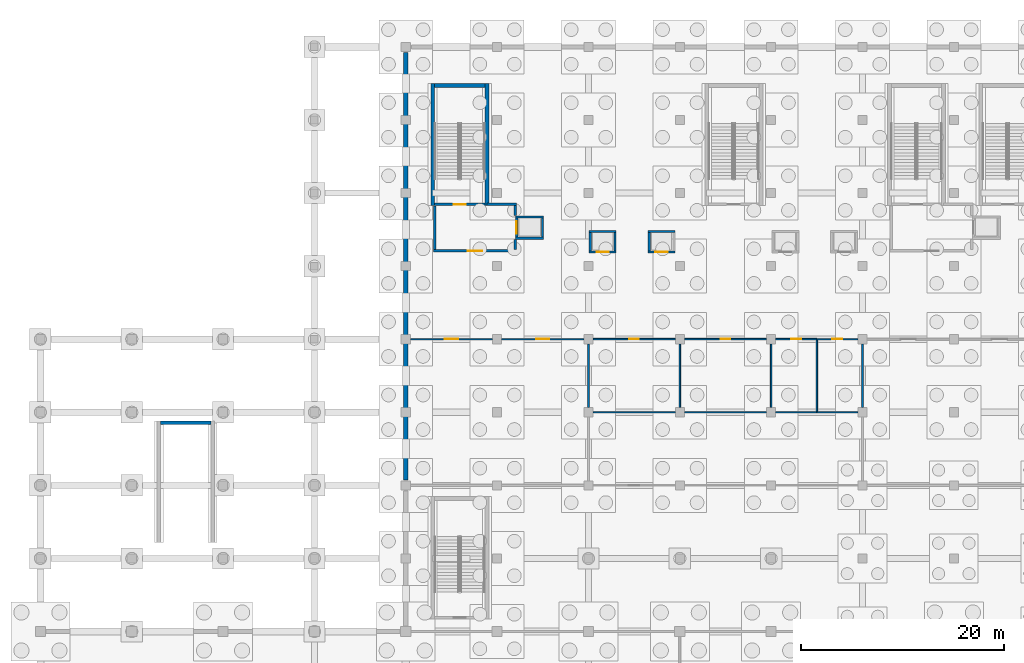
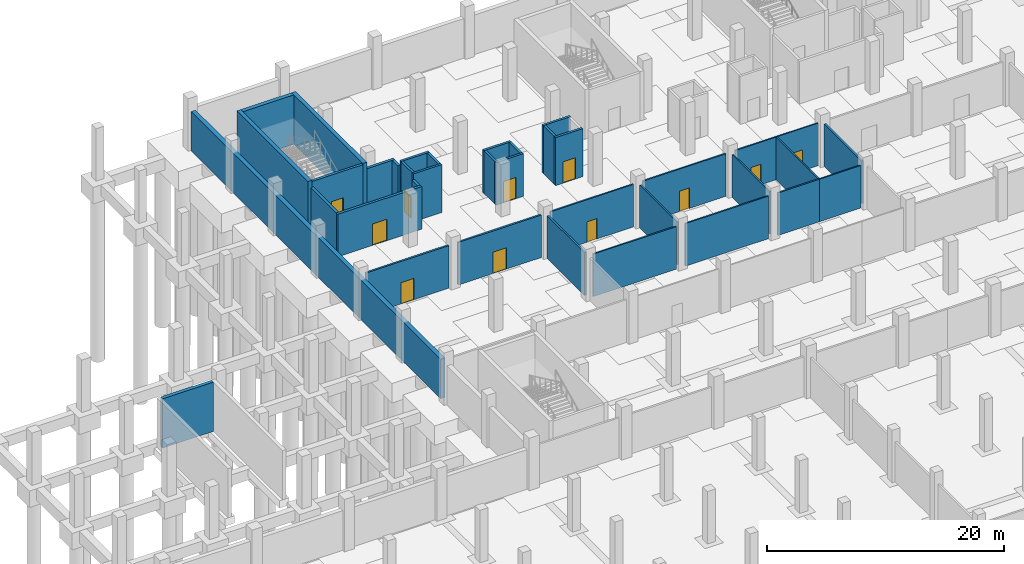
# One storey, part 25 of 39: 37 walls, 11 doors, 11 openings.
"""IFC4 building model written with IfcOpenShell, lengths in metres."""

import ifcopenshell
import ifcopenshell.guid

model = None  # the IFC model being written
_history = None  # IfcOwnerHistory: only IFC2X3 demands one
_inside = {}  # id of a spatial element -> (the spatial element, [elements in it])
_under = {}  # id of a project, library or spatial element -> (it, [spatial elements below it])
_declared = {}  # id of a project -> (the project, [libraries it declares])
_typed = {}  # id of a type object -> (the type object, [elements of that type])
_made_of = {}  # id of a material, layer set ... -> (it, [elements and type objects made of it])


def new_model(schema):
    """Start an empty IFC model of exactly this schema.

    Asked for "IFC4X3", IfcOpenShell would pick the latest addendum, in which some entities
    have other attributes; the version numbers below select the first issue.
    IFC2X3 requires an IfcOwnerHistory on every rooted entity: one is made here for all.
    """
    global model, _history
    if schema == "IFC4X3":
        model = ifcopenshell.file(schema_version=(4, 3, 0, 0))
    else:
        model = ifcopenshell.file(schema=schema)
    _inside.clear()
    _under.clear()
    _declared.clear()
    _typed.clear()
    _made_of.clear()
    _history = None
    if model.schema == "IFC2X3":
        org = make("IfcOrganization", Name="unknown")
        user = make(
            "IfcPersonAndOrganization",
            ThePerson=make("IfcPerson", FamilyName="unknown"),
            TheOrganization=org,
        )
        app = make(
            "IfcApplication",
            ApplicationDeveloper=org,
            Version="unknown",
            ApplicationFullName="unknown",
            ApplicationIdentifier="unknown",
        )
        _history = make(
            "IfcOwnerHistory",
            OwningUser=user,
            OwningApplication=app,
            ChangeAction="ADDED",
            CreationDate=0,
        )
    return model


def make(cls, **values):
    """One entity of the class cls with the attributes given. An attribute that is None is left unset."""
    return model.create_entity(
        cls, **{name: value for name, value in values.items() if value is not None}
    )


def rooted(cls, **values):
    """An entity with a GlobalId (a new one), such as an element, a storey or a relation."""
    return make(cls, GlobalId=ifcopenshell.guid.new(), OwnerHistory=_history, **values)


def si_unit(unit_type, name, prefix=None):
    """IfcSIUnit, for example si_unit("LENGTHUNIT", "METRE", prefix="MILLI")."""
    return make("IfcSIUnit", UnitType=unit_type, Prefix=prefix, Name=name)


def assignment(units):
    """IfcUnitAssignment: the units of a project."""
    return None if units is None else make("IfcUnitAssignment", Units=units)


def point(xyz):
    """IfcCartesianPoint."""
    return None if xyz is None else make("IfcCartesianPoint", Coordinates=xyz)


def direction(xyz):
    """IfcDirection."""
    return None if xyz is None else make("IfcDirection", DirectionRatios=xyz)


def frame(location, z_axis=None, x_axis=None):
    """IfcAxis2Placement3D, a coordinate frame: its origin and axes. An axis left out is left unset."""
    return make(
        "IfcAxis2Placement3D",
        Location=point(location),
        Axis=direction(z_axis),
        RefDirection=direction(x_axis),
    )


def frame_2d(location, x_axis=None):
    """IfcAxis2Placement2D, a coordinate frame in the plane: its origin and x axis."""
    return make(
        "IfcAxis2Placement2D", Location=point(location), RefDirection=direction(x_axis)
    )


def origin():
    """The frame at (0, 0, 0) with its axes left unset."""
    return frame((0.0, 0.0, 0.0))


def place(relative_to, where):
    """IfcLocalPlacement: puts the frame where relative to a parent placement (None: the world)."""
    return make(
        "IfcLocalPlacement", PlacementRelTo=relative_to, RelativePlacement=where
    )


def context(
    kind, dimensions, precision=None, world=None, true_north=None, identifier=None
):
    """IfcGeometricRepresentationContext, for example the 3D "Model" context."""
    return make(
        "IfcGeometricRepresentationContext",
        ContextIdentifier=identifier,
        ContextType=kind,
        CoordinateSpaceDimension=dimensions,
        Precision=precision,
        WorldCoordinateSystem=world,
        TrueNorth=true_north,
    )


def subcontext(parent, identifier, kind, view, scale=None):
    """IfcGeometricRepresentationSubContext, for example "Body" below "Model"."""
    return make(
        "IfcGeometricRepresentationSubContext",
        ContextIdentifier=identifier,
        ContextType=kind,
        ParentContext=parent,
        TargetScale=scale,
        TargetView=view,
    )


def project(units=None, contexts=None):
    """IfcProject with its units and contexts."""
    return rooted(
        "IfcProject",
        Name="project",
        RepresentationContexts=contexts,
        UnitsInContext=assignment(units),
    )


def spatial(cls, under=None, at=None, **own):
    """A site, building, storey or space (cls), placed at a placement, below another one or the project."""
    s = rooted(cls, ObjectPlacement=at, **own)
    if under is not None:
        _under.setdefault(under.id(), (under, []))[1].append(s)
    return s


def profile(cls, at=None, kind="AREA", **sizes):
    """A parametric profile (cls). Its sizes go by their IFC names, for example OverallWidth=200.0."""
    return make(cls, ProfileType=kind, Position=at, **sizes)


def rectangle(**sizes):
    """IfcRectangleProfileDef."""
    return profile("IfcRectangleProfileDef", **sizes)


def extrude(swept, where, along, depth):
    """IfcExtrudedAreaSolid: the profile swept, set in the frame where, extruded along a direction by depth."""
    return make(
        "IfcExtrudedAreaSolid",
        SweptArea=swept,
        Position=where,
        ExtrudedDirection=direction(along),
        Depth=depth,
    )


def shape(context_of_items, identifier, shape_type, items):
    """IfcShapeRepresentation: the items that make up one representation, for example the "Body"."""
    return make(
        "IfcShapeRepresentation",
        ContextOfItems=context_of_items,
        RepresentationIdentifier=identifier,
        RepresentationType=shape_type,
        Items=items,
    )


def material(Name=None, Category=None):
    """IfcMaterial."""
    return make("IfcMaterial", Name=Name, Category=Category)


def layer(
    of_material, thickness, ventilated=None, Name=None, Category=None, Priority=None
):
    """IfcMaterialLayer: one layer of a wall or slab, of a material (None: an air gap)."""
    return make(
        "IfcMaterialLayer",
        Material=of_material,
        LayerThickness=thickness,
        IsVentilated=ventilated,
        Name=Name,
        Category=Category,
        Priority=Priority,
    )


def layer_set(layers, Name=None):
    """IfcMaterialLayerSet."""
    return make("IfcMaterialLayerSet", MaterialLayers=layers, LayerSetName=Name)


def made_of(thing, what):
    """Note that an element or type object is made of a material, layer set ...; save() writes the relation."""
    if what is not None:
        _made_of.setdefault(what.id(), (what, []))[1].append(thing)
    return thing


def type_object(cls, material=None, **own):
    """A type object (cls), such as IfcWallType, which elements share."""
    return made_of(rooted(cls, **own), material)


def element(
    cls,
    number,
    at=None,
    inside=None,
    cuts=None,
    type_object=None,
    material=None,
    context=None,
    identifier="Body",
    shape_type=None,
    held_by="IfcProductDefinitionShape",
    body=None,
    shapes=None,
    **own,
):
    """One element of the class cls, such as IfcWall. Its Tag is "e" and its number.

    at: its placement. inside: the storey or other place that contains it. cuts: it is an
    opening in that element (IfcRelVoidsElement). A single representation is given by context,
    identifier, shape_type and body (its items); several are given by shapes. held_by: the class
    of the entity that holds the representations. save() writes the other relations.
    """
    e = rooted(cls, Tag="e%d" % number, ObjectPlacement=at, **own)
    if body is not None:
        shapes = [shape(context, identifier, shape_type, body)]
    if shapes is not None:
        e.Representation = make(held_by, Representations=shapes)
    if inside is not None:
        _inside.setdefault(inside.id(), (inside, []))[1].append(e)
    if cuts is not None:
        rooted(
            "IfcRelVoidsElement", RelatingBuildingElement=cuts, RelatedOpeningElement=e
        )
    if type_object is not None:
        _typed.setdefault(type_object.id(), (type_object, []))[1].append(e)
    return made_of(e, material)


def fill(opening, filler):
    """IfcRelFillsElement: the door or window that sits in an opening."""
    return rooted(
        "IfcRelFillsElement",
        RelatingOpeningElement=opening,
        RelatedBuildingElement=filler,
    )


def aggregate(whole, parts):
    """IfcRelAggregates: a whole, such as a stair, and the parts it consists of."""
    return rooted("IfcRelAggregates", RelatingObject=whole, RelatedObjects=parts)


def save(model, path):
    """Write the relations noted so far, then the file.

    IfcRelAggregates (storeys below a building ...), IfcRelContainedInSpatialStructure (elements
    in a storey), IfcRelDefinesByType, IfcRelAssociatesMaterial and IfcRelDeclares: one each for
    every whole, place, type object, material and project.
    """
    for whole, parts in _under.values():
        aggregate(whole, parts)
    for where, things in _inside.values():
        rooted(
            "IfcRelContainedInSpatialStructure",
            RelatedElements=things,
            RelatingStructure=where,
        )
    for kind, things in _typed.values():
        rooted("IfcRelDefinesByType", RelatedObjects=things, RelatingType=kind)
    for what, things in _made_of.values():
        rooted("IfcRelAssociatesMaterial", RelatedObjects=things, RelatingMaterial=what)
    for by, libraries in _declared.values():
        rooted("IfcRelDeclares", RelatingContext=by, RelatedDefinitions=libraries)
    model.write(path)


model = new_model("IFC4")

# Units and contexts
model_context = context("Model", 3, precision=1e-05, world=origin(), true_north=direction((0.0, 1.0)))
body_context = subcontext(model_context, "Body", "Model", "MODEL_VIEW")
ifc_project = project(units=[si_unit("LENGTHUNIT", "METRE"), si_unit("AREAUNIT", "SQUARE_METRE"), si_unit("VOLUMEUNIT", "CUBIC_METRE"), si_unit("PLANEANGLEUNIT", "RADIAN"), si_unit("MASSUNIT", "GRAM", prefix="KILO")], contexts=[model_context])

# Site, building, storey
site_placement = place(None, origin())
site = spatial("IfcSite", under=ifc_project, at=site_placement, CompositionType="ELEMENT")
building_placement = place(site_placement, origin())
building = spatial("IfcBuilding", under=site, at=building_placement, Name="Celestram Park Convention Centre", CompositionType="ELEMENT")
storey_placement = place(building_placement, frame((0.0, 0.0, -5.39990234375)))
storey = spatial("IfcBuildingStorey", under=building, at=storey_placement, Name="B1", CompositionType="ELEMENT", Elevation=-5.39990234375)

# Wall, opening, door
ifc_material_1 = material(Name="Concrete Block Masonry C25/30", Category="masonry")
ifc_layer_1 = layer(ifc_material_1, 0.25)
ifc_layer_set_1 = layer_set([ifc_layer_1], Name="Concrete Block Masonry C25/30")
wall_type_1 = type_object("IfcWallType", Name="ARC-WL-COR250", PredefinedType="STANDARD", material=ifc_layer_set_1)
wall_1_placement = place(storey_placement, frame((38.840087890625, 150.074951171875, 0.0), z_axis=(0.0, 0.0, 1.0), x_axis=(1.0, 0.0, 0.0)))
wall_1 = element("IfcWall", 1, at=wall_1_placement, inside=storey, type_object=wall_type_1, Name="Core C1 stair entrance wall", PredefinedType="STANDARD", context=body_context, shape_type="SweptSolid", body=[
    extrude(rectangle(XDim=4.9599609375, YDim=0.25, at=frame_2d((2.47998046875, 0.0))), origin(), (0.0, 0.0, 1.0), 4.949951171875),
])
opening_1_placement = place(wall_1_placement, frame((1.905029296875, 0.0, 0.0)))
opening_1 = element("IfcOpeningElement", 2, at=opening_1_placement, cuts=wall_1, Name="Opening D-ST1", PredefinedType="OPENING", context=body_context, shape_type="SweptSolid", body=[
    extrude(rectangle(XDim=1.14990234375, YDim=2.199951171875, at=frame_2d((0.574951171875, 1.10009765625))), frame((0.0, 0.135009765625, 0.0), z_axis=(0.0, -1.0, 0.0), x_axis=(1.0, 0.0, 0.0)), (0.0, 0.0, 1.0), 0.27001953125),
])
ifc_material_2 = material(Name="Fire-Rated Hollow Metal Steel ASTM A653", Category="steel")
door_type_1 = type_object("IfcDoorType", Name="ARC-DR-ST115", OperationType="NOTDEFINED", PredefinedType="DOOR", material=ifc_material_2)
door_1_placement = place(opening_1_placement, origin())
door_1 = element("IfcDoor", 3, at=door_1_placement, inside=storey, type_object=door_type_1, Name="Exit stair ST-01 fire door", OperationType="SINGLE_SWING_LEFT", OverallHeight=2.199951171875, OverallWidth=1.14990234375, PredefinedType="DOOR", context=body_context, shape_type="SweptSolid", body=[
    extrude(rectangle(XDim=1.14990234375, YDim=2.199951171875, at=frame_2d((0.574951171875, 1.10009765625))), frame((0.0, 0.02490234375, 0.0), z_axis=(0.0, -1.0, 0.0), x_axis=(1.0, 0.0, 0.0)), (0.0, 0.0, 1.0), 0.050048828125),
])
fill(opening_1, door_1)

# Wall
wall_2_placement = place(storey_placement, frame((38.840087890625, 149.93994140625, 0.0), z_axis=(0.0, 0.0, 1.0), x_axis=(0.0, -1.0, 0.0)))
element("IfcWall", 4, at=wall_2_placement, inside=storey, type_object=wall_type_1, Name="Firefighting Lift Lobby C1 W wall", PredefinedType="STANDARD", context=body_context, shape_type="SweptSolid", body=[
    extrude(rectangle(XDim=4.31494140625, YDim=0.25, at=frame_2d((2.157470703125, 0.0))), origin(), (0.0, 0.0, 1.0), 4.39697265625),
])

# Wall, opening, door
wall_3_placement = place(storey_placement, frame((38.715087890625, 145.5, 0.0), z_axis=(0.0, 0.0, 1.0), x_axis=(1.0, 0.0, 0.0)))
wall_3 = element("IfcWall", 5, at=wall_3_placement, inside=storey, type_object=wall_type_1, Name="Firefighting Lift Lobby C1 S wall", PredefinedType="STANDARD", context=body_context, shape_type="SweptSolid", body=[
    extrude(rectangle(XDim=8.18994140625, YDim=0.25, at=frame_2d((4.094970703125, 0.0))), origin(), (0.0, 0.0, 1.0), 4.39697265625),
])
opening_2_placement = place(wall_3_placement, frame((3.39501953125, 0.0, 0.0)))
opening_2 = element("IfcOpeningElement", 6, at=opening_2_placement, cuts=wall_3, Name="Opening D-LB1", PredefinedType="OPENING", context=body_context, shape_type="SweptSolid", body=[
    extrude(rectangle(XDim=1.39990234375, YDim=2.199951171875, at=frame_2d((0.699951171875, 1.10009765625))), frame((0.0, 0.135009765625, 0.0), z_axis=(0.0, -1.0, 0.0), x_axis=(1.0, 0.0, 0.0)), (0.0, 0.0, 1.0), 0.27001953125),
])
ifc_material_3 = material(Name="Fire-Rated Glazed Steel Frame", Category="steel")
door_type_2 = type_object("IfcDoorType", Name="ARC-DR-LB140", OperationType="NOTDEFINED", PredefinedType="DOOR", material=ifc_material_3)
door_2_placement = place(opening_2_placement, origin())
door_2 = element("IfcDoor", 7, at=door_2_placement, inside=storey, type_object=door_type_2, Name="Firefighting Lift Lobby C1 fire door", OperationType="SINGLE_SWING_RIGHT", OverallHeight=2.199951171875, OverallWidth=1.39990234375, PredefinedType="DOOR", context=body_context, shape_type="SweptSolid", body=[
    extrude(rectangle(XDim=1.39990234375, YDim=2.199951171875, at=frame_2d((0.699951171875, 1.10009765625))), frame((0.0, 0.02490234375, 0.0), z_axis=(0.0, -1.0, 0.0), x_axis=(1.0, 0.0, 0.0)), (0.0, 0.0, 1.0), 0.050048828125),
])
fill(opening_2, door_2)

# Walls
wall_4_placement = place(storey_placement, frame((46.780029296875, 145.625, 0.0), z_axis=(0.0, 0.0, 1.0), x_axis=(0.0, 1.0, 0.0)))
element("IfcWall", 8, at=wall_4_placement, inside=storey, type_object=wall_type_1, Name="Firefighting Lift Lobby C1 ES wall", PredefinedType="STANDARD", context=body_context, shape_type="SweptSolid", body=[
    extrude(rectangle(XDim=0.97509765625, YDim=0.25, at=frame_2d((0.487548828125, 0.0))), origin(), (0.0, 0.0, 1.0), 4.39697265625),
])
wall_5_placement = place(storey_placement, frame((46.780029296875, 149.0, 0.0), z_axis=(0.0, 0.0, 1.0), x_axis=(0.0, 1.0, 0.0)))
element("IfcWall", 9, at=wall_5_placement, inside=storey, type_object=wall_type_1, Name="Firefighting Lift Lobby C1 EN wall", PredefinedType="STANDARD", context=body_context, shape_type="SweptSolid", body=[
    extrude(rectangle(XDim=0.949951171875, YDim=0.25, at=frame_2d((0.47509765625, 0.0))), origin(), (0.0, 0.0, 1.0), 4.39697265625),
])
wall_6_placement = place(storey_placement, frame((44.0, 150.074951171875, 0.0), z_axis=(0.0, 0.0, 1.0), x_axis=(1.0, 0.0, 0.0)))
element("IfcWall", 10, at=wall_6_placement, inside=storey, type_object=wall_type_1, Name="Firefighting Lift Lobby C1 N wall", PredefinedType="STANDARD", context=body_context, shape_type="SweptSolid", body=[
    extrude(rectangle(XDim=2.905029296875, YDim=0.25, at=frame_2d((1.45263671875, 0.0))), origin(), (0.0, 0.0, 1.0), 4.39697265625),
])
ifc_material_4 = material(Name="Standard Gypsum & Steel Stud 120 mm", Category="steel")
ifc_layer_2 = layer(ifc_material_4, 0.1201171875)
ifc_layer_set_2 = layer_set([ifc_layer_2], Name="Standard Gypsum & Steel Stud 120 mm")
wall_type_2 = type_object("IfcWallType", Name="ARC-WL-PRT120", PredefinedType="PARTITIONING", material=ifc_layer_set_2)
wall_7_placement = place(storey_placement, frame((76.5, 129.60009765625, 0.0), z_axis=(0.0, 0.0, 1.0), x_axis=(1.0, 0.0, 0.0)))
element("IfcWall", 11, at=wall_7_placement, inside=storey, type_object=wall_type_2, Name="Interior partition WL-B1-IN0487", PredefinedType="PARTITIONING", context=body_context, shape_type="SweptSolid", body=[
    extrude(rectangle(XDim=4.052001953125, YDim=0.1201171875, at=frame_2d((2.02587890625, 0.0))), origin(), (0.0, 0.0, 1.0), 4.3837890625),
])

# Wall, opening, door
wall_8_placement = place(storey_placement, frame((76.5, 136.800048828125, 0.0), z_axis=(0.0, 0.0, 1.0), x_axis=(1.0, 0.0, 0.0)))
wall_8 = element("IfcWall", 12, at=wall_8_placement, inside=storey, type_object=wall_type_2, Name="Interior partition WL-B1-IN0493", PredefinedType="PARTITIONING", context=body_context, shape_type="SweptSolid", body=[
    extrude(rectangle(XDim=4.052001953125, YDim=0.1201171875, at=frame_2d((2.02587890625, 0.0))), origin(), (0.0, 0.0, 1.0), 4.3837890625),
])
opening_3_placement = place(wall_8_placement, frame((1.52587890625, 0.0, 0.0)))
opening_3 = element("IfcOpeningElement", 13, at=opening_3_placement, cuts=wall_8, Name="Opening D-07", PredefinedType="OPENING", context=body_context, shape_type="SweptSolid", body=[
    extrude(rectangle(XDim=1.0, YDim=2.14990234375, at=frame_2d((0.5, 1.074951171875))), frame((0.0, 0.070068359375, 0.0), z_axis=(0.0, -1.0, 0.0), x_axis=(1.0, 0.0, 0.0)), (0.0, 0.0, 1.0), 0.14013671875),
])
ifc_material_5 = material(Name="Solid Core White Oak Single Door", Category="wood")
door_type_3 = type_object("IfcDoorType", Name="ARC-DR-RM100", OperationType="NOTDEFINED", PredefinedType="DOOR", material=ifc_material_5)
door_3_placement = place(opening_3_placement, origin())
door_3 = element("IfcDoor", 14, at=door_3_placement, inside=storey, type_object=door_type_3, Name="Wellness & Nursing Suite B1 entrance door", OperationType="SINGLE_SWING_LEFT", OverallHeight=2.14990234375, OverallWidth=1.0, PredefinedType="DOOR", context=body_context, shape_type="SweptSolid", body=[
    extrude(rectangle(XDim=1.0, YDim=2.14990234375, at=frame_2d((0.5, 1.074951171875))), frame((0.0, 0.02490234375, 0.0), z_axis=(0.0, -1.0, 0.0), x_axis=(1.0, 0.0, 0.0)), (0.0, 0.0, 1.0), 0.050048828125),
])
fill(opening_3, door_3)

# Walls
ifc_material_6 = material(Name="Moisture-Resistant Gypsum Partition 140 mm", Category="gypsum")
ifc_layer_3 = layer(ifc_material_6, 0.139892578125)
ifc_layer_set_3 = layer_set([ifc_layer_3], Name="Moisture-Resistant Gypsum Partition 140 mm")
wall_type_3 = type_object("IfcWallType", Name="ARC-WL-PRT140", PredefinedType="PARTITIONING", material=ifc_layer_set_3)
for number, where, z_axis, x_axis, name in (
    (15, (54.447998046875, 129.60009765625, 0.0), (0.0, 0.0, 1.0), (1.0, 0.0, 0.0), "Interior partition WL-B1-IN0484"),
    (16, (63.447998046875, 129.60009765625, 0.0), (0.0, 0.0, 1.0), (1.0, 0.0, 0.0), "Interior partition WL-B1-IN0485"),
):
    element("IfcWall", number, at=place(storey_placement, frame(where, z_axis=z_axis, x_axis=x_axis)), inside=storey, type_object=wall_type_3, Name=name, PredefinedType="PARTITIONING", context=body_context, shape_type="SweptSolid", body=[
        extrude(rectangle(XDim=8.10400390625, YDim=0.139892578125, at=frame_2d((4.052001953125, 0.0))), origin(), (0.0, 0.0, 1.0), 4.3837890625),
    ])
wall_9_placement = place(storey_placement, frame((72.447998046875, 129.60009765625, 0.0), z_axis=(0.0, 0.0, 1.0), x_axis=(1.0, 0.0, 0.0)))
element("IfcWall", 17, at=wall_9_placement, inside=storey, type_object=wall_type_3, Name="Interior partition WL-B1-IN0486", PredefinedType="PARTITIONING", context=body_context, shape_type="SweptSolid", body=[
    extrude(rectangle(XDim=4.052001953125, YDim=0.139892578125, at=frame_2d((2.02587890625, 0.0))), origin(), (0.0, 0.0, 1.0), 4.3837890625),
])

# Wall, opening, door
wall_10_placement = place(storey_placement, frame((54.447998046875, 136.800048828125, 0.0), z_axis=(0.0, 0.0, 1.0), x_axis=(1.0, 0.0, 0.0)))
wall_10 = element("IfcWall", 18, at=wall_10_placement, inside=storey, type_object=wall_type_3, Name="Interior partition WL-B1-IN0490", PredefinedType="PARTITIONING", context=body_context, shape_type="SweptSolid", body=[
    extrude(rectangle(XDim=8.10400390625, YDim=0.139892578125, at=frame_2d((4.052001953125, 0.0))), origin(), (0.0, 0.0, 1.0), 4.3837890625),
])
opening_4_placement = place(wall_10_placement, frame((3.576904296875, 0.0, 0.0)))
opening_4 = element("IfcOpeningElement", 19, at=opening_4_placement, cuts=wall_10, Name="Opening D-08", PredefinedType="OPENING", context=body_context, shape_type="SweptSolid", body=[
    extrude(rectangle(XDim=0.949951171875, YDim=2.10009765625, at=frame_2d((0.47509765625, 1.050048828125))), frame((0.0, 0.079833984375, 0.0), z_axis=(0.0, -1.0, 0.0), x_axis=(1.0, 0.0, 0.0)), (0.0, 0.0, 1.0), 0.159912109375),
])
ifc_material_7 = material(Name="Laminate Moisture-Resistant Restroom Door", Category="wood")
door_type_4 = type_object("IfcDoorType", Name="ARC-DR-WC095", OperationType="NOTDEFINED", PredefinedType="DOOR", material=ifc_material_7)
door_4_placement = place(opening_4_placement, origin())
door_4 = element("IfcDoor", 20, at=door_4_placement, inside=storey, type_object=door_type_4, Name="Men Restroom B1 entrance door", OperationType="SINGLE_SWING_RIGHT", OverallHeight=2.10009765625, OverallWidth=0.949951171875, PredefinedType="DOOR", context=body_context, shape_type="SweptSolid", body=[
    extrude(rectangle(XDim=0.949951171875, YDim=2.10009765625, at=frame_2d((0.47509765625, 1.050048828125))), frame((0.0, 0.02490234375, 0.0), z_axis=(0.0, -1.0, 0.0), x_axis=(1.0, 0.0, 0.0)), (0.0, 0.0, 1.0), 0.050048828125),
])
fill(opening_4, door_4)

wall_11_placement = place(storey_placement, frame((63.447998046875, 136.800048828125, 0.0), z_axis=(0.0, 0.0, 1.0), x_axis=(1.0, 0.0, 0.0)))
wall_11 = element("IfcWall", 21, at=wall_11_placement, inside=storey, type_object=wall_type_3, Name="Interior partition WL-B1-IN0491", PredefinedType="PARTITIONING", context=body_context, shape_type="SweptSolid", body=[
    extrude(rectangle(XDim=8.10400390625, YDim=0.139892578125, at=frame_2d((4.052001953125, 0.0))), origin(), (0.0, 0.0, 1.0), 4.3837890625),
])
opening_5_placement = place(wall_11_placement, frame((3.576904296875, 0.0, 0.0)))
opening_5 = element("IfcOpeningElement", 22, at=opening_5_placement, cuts=wall_11, Name="Opening D-08", PredefinedType="OPENING", context=body_context, shape_type="SweptSolid", body=[
    extrude(rectangle(XDim=0.949951171875, YDim=2.10009765625, at=frame_2d((0.47509765625, 1.050048828125))), frame((0.0, 0.079833984375, 0.0), z_axis=(0.0, -1.0, 0.0), x_axis=(1.0, 0.0, 0.0)), (0.0, 0.0, 1.0), 0.159912109375),
])
door_5_placement = place(opening_5_placement, origin())
door_5 = element("IfcDoor", 23, at=door_5_placement, inside=storey, type_object=door_type_4, Name="Women Restroom B1 entrance door", OperationType="SINGLE_SWING_LEFT", OverallHeight=2.10009765625, OverallWidth=0.949951171875, PredefinedType="DOOR", context=body_context, shape_type="SweptSolid", body=[
    extrude(rectangle(XDim=0.949951171875, YDim=2.10009765625, at=frame_2d((0.47509765625, 1.050048828125))), frame((0.0, 0.02490234375, 0.0), z_axis=(0.0, -1.0, 0.0), x_axis=(1.0, 0.0, 0.0)), (0.0, 0.0, 1.0), 0.050048828125),
])
fill(opening_5, door_5)

wall_12_placement = place(storey_placement, frame((72.447998046875, 136.800048828125, 0.0), z_axis=(0.0, 0.0, 1.0), x_axis=(1.0, 0.0, 0.0)))
wall_12 = element("IfcWall", 24, at=wall_12_placement, inside=storey, type_object=wall_type_3, Name="Interior partition WL-B1-IN0492", PredefinedType="PARTITIONING", context=body_context, shape_type="SweptSolid", body=[
    extrude(rectangle(XDim=4.052001953125, YDim=0.139892578125, at=frame_2d((2.02587890625, 0.0))), origin(), (0.0, 0.0, 1.0), 4.3837890625),
])
opening_6_placement = place(wall_12_placement, frame((1.551025390625, 0.0, 0.0)))
opening_6 = element("IfcOpeningElement", 25, at=opening_6_placement, cuts=wall_12, Name="Opening D-08", PredefinedType="OPENING", context=body_context, shape_type="SweptSolid", body=[
    extrude(rectangle(XDim=0.949951171875, YDim=2.10009765625, at=frame_2d((0.47509765625, 1.050048828125))), frame((0.0, 0.079833984375, 0.0), z_axis=(0.0, -1.0, 0.0), x_axis=(1.0, 0.0, 0.0)), (0.0, 0.0, 1.0), 0.159912109375),
])
door_6_placement = place(opening_6_placement, origin())
door_6 = element("IfcDoor", 26, at=door_6_placement, inside=storey, type_object=door_type_4, Name="Accessible Restroom B1 entrance door", OperationType="SINGLE_SWING_RIGHT", OverallHeight=2.10009765625, OverallWidth=0.949951171875, PredefinedType="DOOR", context=body_context, shape_type="SweptSolid", body=[
    extrude(rectangle(XDim=0.949951171875, YDim=2.10009765625, at=frame_2d((0.47509765625, 1.050048828125))), frame((0.0, 0.02490234375, 0.0), z_axis=(0.0, -1.0, 0.0), x_axis=(1.0, 0.0, 0.0)), (0.0, 0.0, 1.0), 0.050048828125),
])
fill(opening_6, door_6)

# Walls
for number, where, z_axis, x_axis, name in (
    (27, (63.0, 130.048095703125, 0.0), (0.0, 0.0, 1.0), (0.0, 1.0, 0.0), "Interior partition WL-B1-IN0512"),
    (28, (72.0, 130.048095703125, 0.0), (0.0, 0.0, 1.0), (0.0, 1.0, 0.0), "Interior partition WL-B1-IN0513"),
):
    element("IfcWall", number, at=place(storey_placement, frame(where, z_axis=z_axis, x_axis=x_axis)), inside=storey, type_object=wall_type_3, Name=name, PredefinedType="PARTITIONING", context=body_context, shape_type="SweptSolid", body=[
        extrude(rectangle(XDim=6.303955078125, YDim=0.139892578125, at=frame_2d((3.15185546875, 0.0))), origin(), (0.0, 0.0, 1.0), 4.39697265625),
    ])
wall_13_placement = place(storey_placement, frame((76.5, 129.60009765625, 0.0), z_axis=(0.0, 0.0, 1.0), x_axis=(0.0, 1.0, 0.0)))
element("IfcWall", 29, at=wall_13_placement, inside=storey, type_object=wall_type_3, Name="Interior partition WL-B1-IN0514", PredefinedType="PARTITIONING", context=body_context, shape_type="SweptSolid", body=[
    extrude(rectangle(XDim=7.199951171875, YDim=0.139892578125, at=frame_2d((3.60009765625, 0.0))), origin(), (0.0, 0.0, 1.0), 4.3837890625),
])

# Wall, opening, door
ifc_material_8 = material(Name="Fire-Rated Gypsum & Steel Stud 180 mm", Category="steel")
ifc_layer_4 = layer(ifc_material_8, 0.179931640625)
ifc_layer_set_4 = layer_set([ifc_layer_4], Name="Fire-Rated Gypsum & Steel Stud 180 mm")
wall_type_4 = type_object("IfcWallType", Name="ARC-WL-PRT180", PredefinedType="PARTITIONING", material=ifc_layer_set_4)
wall_14_placement = place(storey_placement, frame((36.447998046875, 136.800048828125, 0.0), z_axis=(0.0, 0.0, 1.0), x_axis=(1.0, 0.0, 0.0)))
wall_14 = element("IfcWall", 30, at=wall_14_placement, inside=storey, type_object=wall_type_4, Name="Interior partition WL-B1-IN0488", PredefinedType="PARTITIONING", context=body_context, shape_type="SweptSolid", body=[
    extrude(rectangle(XDim=8.10400390625, YDim=0.179931640625, at=frame_2d((4.052001953125, 0.0))), origin(), (0.0, 0.0, 1.0), 4.3837890625),
])
opening_7_placement = place(wall_14_placement, frame((3.402099609375, 0.0, 0.0)))
opening_7 = element("IfcOpeningElement", 31, at=opening_7_placement, cuts=wall_14, Name="Opening D-10", PredefinedType="OPENING", context=body_context, shape_type="SweptSolid", body=[
    extrude(rectangle(XDim=1.300048828125, YDim=2.199951171875, at=frame_2d((0.64990234375, 1.10009765625))), frame((0.0, 0.099853515625, 0.0), z_axis=(0.0, -1.0, 0.0), x_axis=(1.0, 0.0, 0.0)), (0.0, 0.0, 1.0), 0.199951171875),
])
ifc_material_9 = material(Name="Hollow Metal Catering Service Door", Category="steel")
door_type_5 = type_object("IfcDoorType", Name="ARC-DR-SRV130", OperationType="NOTDEFINED", PredefinedType="DOOR", material=ifc_material_9)
door_7_placement = place(opening_7_placement, origin())
door_7 = element("IfcDoor", 32, at=door_7_placement, inside=storey, type_object=door_type_5, Name="Central Commissary Cold Prep entrance door", OperationType="SINGLE_SWING_RIGHT", OverallHeight=2.199951171875, OverallWidth=1.300048828125, PredefinedType="DOOR", context=body_context, shape_type="SweptSolid", body=[
    extrude(rectangle(XDim=1.300048828125, YDim=2.199951171875, at=frame_2d((0.64990234375, 1.10009765625))), frame((0.0, 0.02490234375, 0.0), z_axis=(0.0, -1.0, 0.0), x_axis=(1.0, 0.0, 0.0)), (0.0, 0.0, 1.0), 0.050048828125),
])
fill(opening_7, door_7)

wall_15_placement = place(storey_placement, frame((45.447998046875, 136.800048828125, 0.0), z_axis=(0.0, 0.0, 1.0), x_axis=(1.0, 0.0, 0.0)))
wall_15 = element("IfcWall", 33, at=wall_15_placement, inside=storey, type_object=wall_type_4, Name="Interior partition WL-B1-IN0489", PredefinedType="PARTITIONING", context=body_context, shape_type="SweptSolid", body=[
    extrude(rectangle(XDim=8.10400390625, YDim=0.179931640625, at=frame_2d((4.052001953125, 0.0))), origin(), (0.0, 0.0, 1.0), 4.3837890625),
])
opening_8_placement = place(wall_15_placement, frame((3.402099609375, 0.0, 0.0)))
opening_8 = element("IfcOpeningElement", 34, at=opening_8_placement, cuts=wall_15, Name="Opening D-10", PredefinedType="OPENING", context=body_context, shape_type="SweptSolid", body=[
    extrude(rectangle(XDim=1.300048828125, YDim=2.199951171875, at=frame_2d((0.64990234375, 1.10009765625))), frame((0.0, 0.099853515625, 0.0), z_axis=(0.0, -1.0, 0.0), x_axis=(1.0, 0.0, 0.0)), (0.0, 0.0, 1.0), 0.199951171875),
])
door_8_placement = place(opening_8_placement, origin())
door_8 = element("IfcDoor", 35, at=door_8_placement, inside=storey, type_object=door_type_5, Name="Central Commissary Cold Prep entrance door", OperationType="SINGLE_SWING_LEFT", OverallHeight=2.199951171875, OverallWidth=1.300048828125, PredefinedType="DOOR", context=body_context, shape_type="SweptSolid", body=[
    extrude(rectangle(XDim=1.300048828125, YDim=2.199951171875, at=frame_2d((0.64990234375, 1.10009765625))), frame((0.0, 0.02490234375, 0.0), z_axis=(0.0, -1.0, 0.0), x_axis=(1.0, 0.0, 0.0)), (0.0, 0.0, 1.0), 0.050048828125),
])
fill(opening_8, door_8)

# Walls
for number, where, z_axis, x_axis, name in (
    (36, (54.0, 130.048095703125, 0.0), (0.0, 0.0, 1.0), (0.0, 1.0, 0.0), "Interior partition WL-B1-IN0507"),
    (37, (81.0, 130.048095703125, 0.0), (0.0, 0.0, 1.0), (0.0, 1.0, 0.0), "Interior partition WL-B1-IN0519"),
):
    element("IfcWall", number, at=place(storey_placement, frame(where, z_axis=z_axis, x_axis=x_axis)), inside=storey, type_object=wall_type_4, Name=name, PredefinedType="PARTITIONING", context=body_context, shape_type="SweptSolid", body=[
        extrude(rectangle(XDim=6.303955078125, YDim=0.179931640625, at=frame_2d((3.15185546875, 0.0))), origin(), (0.0, 0.0, 1.0), 4.39697265625),
    ])
ifc_layer_5 = layer(ifc_material_1, 0.219970703125)
ifc_layer_set_5 = layer_set([ifc_layer_5], Name="Concrete Block Masonry C25/30")
wall_type_5 = type_object("IfcWallType", Name="ARC-WL-SHF220", PredefinedType="STANDARD", material=ifc_layer_set_5)
for number, where, z_axis, x_axis, name in (
    (38, (46.820068359375, 146.7548828125, 0.0), (0.0, 0.0, 1.0), (1.0, 0.0, 0.0), "Lift LF-01 shaft wall S"),
    (39, (49.580078125, 148.844970703125, 0.0), (0.0, 0.0, 1.0), (-1.0, 0.0, 0.0), "Lift LF-01 shaft wall N"),
):
    element("IfcWall", number, at=place(storey_placement, frame(where, z_axis=z_axis, x_axis=x_axis)), inside=storey, type_object=wall_type_5, Name=name, PredefinedType="STANDARD", context=body_context, shape_type="SweptSolid", body=[
        extrude(rectangle(XDim=2.760009765625, YDim=0.219970703125, at=frame_2d((1.3798828125, 0.0))), origin(), (0.0, 0.0, 1.0), 4.949951171875),
    ])

# Wall, opening, door
wall_16_placement = place(storey_placement, frame((46.929931640625, 148.735107421875, 0.0), z_axis=(0.0, 0.0, 1.0), x_axis=(0.0, -1.0, 0.0)))
wall_16 = element("IfcWall", 40, at=wall_16_placement, inside=storey, type_object=wall_type_5, Name="Lift LF-01 shaft wall W", PredefinedType="STANDARD", context=body_context, shape_type="SweptSolid", body=[
    extrude(rectangle(XDim=1.8701171875, YDim=0.219970703125, at=frame_2d((0.93505859375, 0.0))), origin(), (0.0, 0.0, 1.0), 4.949951171875),
])
opening_9_placement = place(wall_16_placement, frame((0.3349609375, 0.0, 0.0)))
opening_9 = element("IfcOpeningElement", 41, at=opening_9_placement, cuts=wall_16, Name="Opening LD-01", PredefinedType="OPENING", context=body_context, shape_type="SweptSolid", body=[
    extrude(rectangle(XDim=1.199951171875, YDim=2.199951171875, at=frame_2d((0.60009765625, 1.10009765625))), frame((0.0, 0.119873046875, 0.0), z_axis=(0.0, -1.0, 0.0), x_axis=(1.0, 0.0, 0.0)), (0.0, 0.0, 1.0), 0.239990234375),
])
ifc_material_10 = material(Name="Brushed Stainless Steel AISI 304", Category="steel")
door_type_6 = type_object("IfcDoorType", Name="ARC-DR-LFT120", OperationType="NOTDEFINED", PredefinedType="DOOR", material=ifc_material_10)
door_9_placement = place(opening_9_placement, origin())
door_9 = element("IfcDoor", 42, at=door_9_placement, inside=storey, type_object=door_type_6, Name="Lift LF-01 sliding landing door", OperationType="DOUBLE_DOOR_SLIDING", OverallHeight=2.199951171875, OverallWidth=1.199951171875, PredefinedType="DOOR", context=body_context, shape_type="SweptSolid", body=[
    extrude(rectangle(XDim=1.199951171875, YDim=2.199951171875, at=frame_2d((0.60009765625, 1.10009765625))), frame((0.0, 0.02490234375, 0.0), z_axis=(0.0, -1.0, 0.0), x_axis=(1.0, 0.0, 0.0)), (0.0, 0.0, 1.0), 0.050048828125),
])
fill(opening_9, door_9)

# Wall
wall_17_placement = place(storey_placement, frame((49.469970703125, 146.864990234375, 0.0), z_axis=(0.0, 0.0, 1.0), x_axis=(0.0, 1.0, 0.0)))
element("IfcWall", 43, at=wall_17_placement, inside=storey, type_object=wall_type_5, Name="Lift LF-01 shaft wall E", PredefinedType="STANDARD", context=body_context, shape_type="SweptSolid", body=[
    extrude(rectangle(XDim=1.8701171875, YDim=0.219970703125, at=frame_2d((0.93505859375, 0.0))), origin(), (0.0, 0.0, 1.0), 4.949951171875),
])

# Wall, opening, door
wall_18_placement = place(storey_placement, frame((54.070068359375, 145.3798828125, 0.0), z_axis=(0.0, 0.0, 1.0), x_axis=(1.0, 0.0, 0.0)))
wall_18 = element("IfcWall", 44, at=wall_18_placement, inside=storey, type_object=wall_type_5, Name="Lift LP-01 shaft wall S", PredefinedType="STANDARD", context=body_context, shape_type="SweptSolid", body=[
    extrude(rectangle(XDim=2.659912109375, YDim=0.219970703125, at=frame_2d((1.330078125, 0.0))), origin(), (0.0, 0.0, 1.0), 4.39697265625),
])
opening_10_placement = place(wall_18_placement, frame((0.72998046875, 0.0, 0.0)))
opening_10 = element("IfcOpeningElement", 45, at=opening_10_placement, cuts=wall_18, Name="Opening LD-01", PredefinedType="OPENING", context=body_context, shape_type="SweptSolid", body=[
    extrude(rectangle(XDim=1.199951171875, YDim=2.199951171875, at=frame_2d((0.60009765625, 1.10009765625))), frame((0.0, 0.119873046875, 0.0), z_axis=(0.0, -1.0, 0.0), x_axis=(1.0, 0.0, 0.0)), (0.0, 0.0, 1.0), 0.239990234375),
])
door_10_placement = place(opening_10_placement, origin())
door_10 = element("IfcDoor", 46, at=door_10_placement, inside=storey, type_object=door_type_6, Name="Lift LP-01 sliding landing door", OperationType="DOUBLE_DOOR_SLIDING", OverallHeight=2.199951171875, OverallWidth=1.199951171875, PredefinedType="DOOR", context=body_context, shape_type="SweptSolid", body=[
    extrude(rectangle(XDim=1.199951171875, YDim=2.199951171875, at=frame_2d((0.60009765625, 1.10009765625))), frame((0.0, 0.02490234375, 0.0), z_axis=(0.0, -1.0, 0.0), x_axis=(1.0, 0.0, 0.0)), (0.0, 0.0, 1.0), 0.050048828125),
])
fill(opening_10, door_10)

# Walls
wall_19_placement = place(storey_placement, frame((56.72998046875, 147.419921875, 0.0), z_axis=(0.0, 0.0, 1.0), x_axis=(-1.0, 0.0, 0.0)))
element("IfcWall", 47, at=wall_19_placement, inside=storey, type_object=wall_type_5, Name="Lift LP-01 shaft wall N", PredefinedType="STANDARD", context=body_context, shape_type="SweptSolid", body=[
    extrude(rectangle(XDim=2.659912109375, YDim=0.219970703125, at=frame_2d((1.330078125, 0.0))), origin(), (0.0, 0.0, 1.0), 4.39697265625),
])
for number, where, z_axis, x_axis, name in (
    (48, (54.179931640625, 147.31005859375, 0.0), (0.0, 0.0, 1.0), (0.0, -1.0, 0.0), "Lift LP-01 shaft wall W"),
    (49, (56.6201171875, 145.489990234375, 0.0), (0.0, 0.0, 1.0), (0.0, 1.0, 0.0), "Lift LP-01 shaft wall E"),
):
    element("IfcWall", number, at=place(storey_placement, frame(where, z_axis=z_axis, x_axis=x_axis)), inside=storey, type_object=wall_type_5, Name=name, PredefinedType="STANDARD", context=body_context, shape_type="SweptSolid", body=[
        extrude(rectangle(XDim=1.820068359375, YDim=0.219970703125, at=frame_2d((0.91015625, 0.0))), origin(), (0.0, 0.0, 1.0), 4.39697265625),
    ])

# Wall, opening, door
wall_20_placement = place(storey_placement, frame((59.8701171875, 145.3798828125, 0.0), z_axis=(0.0, 0.0, 1.0), x_axis=(1.0, 0.0, 0.0)))
wall_20 = element("IfcWall", 50, at=wall_20_placement, inside=storey, type_object=wall_type_5, Name="Lift LP-02 shaft wall S", PredefinedType="STANDARD", context=body_context, shape_type="SweptSolid", body=[
    extrude(rectangle(XDim=2.659912109375, YDim=0.219970703125, at=frame_2d((1.330078125, 0.0))), origin(), (0.0, 0.0, 1.0), 4.949951171875),
])
opening_11_placement = place(wall_20_placement, frame((0.72998046875, 0.0, 0.0)))
opening_11 = element("IfcOpeningElement", 51, at=opening_11_placement, cuts=wall_20, Name="Opening LD-01", PredefinedType="OPENING", context=body_context, shape_type="SweptSolid", body=[
    extrude(rectangle(XDim=1.199951171875, YDim=2.199951171875, at=frame_2d((0.60009765625, 1.10009765625))), frame((0.0, 0.119873046875, 0.0), z_axis=(0.0, -1.0, 0.0), x_axis=(1.0, 0.0, 0.0)), (0.0, 0.0, 1.0), 0.239990234375),
])
door_11_placement = place(opening_11_placement, origin())
door_11 = element("IfcDoor", 52, at=door_11_placement, inside=storey, type_object=door_type_6, Name="Lift LP-02 sliding landing door", OperationType="DOUBLE_DOOR_SLIDING", OverallHeight=2.199951171875, OverallWidth=1.199951171875, PredefinedType="DOOR", context=body_context, shape_type="SweptSolid", body=[
    extrude(rectangle(XDim=1.199951171875, YDim=2.199951171875, at=frame_2d((0.60009765625, 1.10009765625))), frame((0.0, 0.02490234375, 0.0), z_axis=(0.0, -1.0, 0.0), x_axis=(1.0, 0.0, 0.0)), (0.0, 0.0, 1.0), 0.050048828125),
])
fill(opening_11, door_11)

# Walls
wall_21_placement = place(storey_placement, frame((62.530029296875, 147.419921875, 0.0), z_axis=(0.0, 0.0, 1.0), x_axis=(-1.0, 0.0, 0.0)))
element("IfcWall", 53, at=wall_21_placement, inside=storey, type_object=wall_type_5, Name="Lift LP-02 shaft wall N", PredefinedType="STANDARD", context=body_context, shape_type="SweptSolid", body=[
    extrude(rectangle(XDim=2.659912109375, YDim=0.219970703125, at=frame_2d((1.330078125, 0.0))), origin(), (0.0, 0.0, 1.0), 4.949951171875),
])
wall_22_placement = place(storey_placement, frame((59.97998046875, 147.31005859375, 0.0), z_axis=(0.0, 0.0, 1.0), x_axis=(0.0, -1.0, 0.0)))
element("IfcWall", 54, at=wall_22_placement, inside=storey, type_object=wall_type_5, Name="Lift LP-02 shaft wall W", PredefinedType="STANDARD", context=body_context, shape_type="SweptSolid", body=[
    extrude(rectangle(XDim=1.820068359375, YDim=0.219970703125, at=frame_2d((0.91015625, 0.0))), origin(), (0.0, 0.0, 1.0), 4.949951171875),
])
ifc_material_11 = material(Name="Concrete C40/50", Category="concrete")
ifc_layer_6 = layer(ifc_material_11, 0.419921875)
ifc_layer_set_6 = layer_set([ifc_layer_6], Name="Concrete C40/50")
wall_type_6 = type_object("IfcWallType", Name="STR-WL-RET420", PredefinedType="USERDEFINED", material=ifc_layer_set_6)
wall_23_placement = place(storey_placement, frame((36.0, 122.949951171875, 0.0), z_axis=(0.0, 0.0, 1.0), x_axis=(0.0, 1.0, 0.0)))
element("IfcWall", 55, at=wall_23_placement, inside=storey, type_object=wall_type_6, Name="Basement retaining wall WL-B1-RET04", ObjectType="RETAININGWALL", PredefinedType="USERDEFINED", context=body_context, shape_type="SweptSolid", body=[
    extrude(rectangle(XDim=42.10009765625, YDim=0.419921875, at=frame_2d((21.050048828125, 0.0))), origin(), (0.0, 0.0, 1.0), 4.079833984375),
])
ifc_layer_7 = layer(ifc_material_11, 0.340087890625)
ifc_layer_set_7 = layer_set([ifc_layer_7], Name="Concrete C40/50")
wall_type_7 = type_object("IfcWallType", Name="STR-WL-SHR340", PredefinedType="SHEAR", material=ifc_layer_set_7)
wall_24_placement = place(storey_placement, frame((11.840087890625, 128.570068359375, 0.0), z_axis=(0.0, 0.0, 1.0), x_axis=(1.0, 0.0, 0.0)))
element("IfcWall", 56, at=wall_24_placement, inside=storey, type_object=wall_type_7, Name="Core S15 shear wall F", PredefinedType="SHEAR", context=body_context, shape_type="SweptSolid", body=[
    extrude(rectangle(XDim=4.9599609375, YDim=0.340087890625, at=frame_2d((2.47998046875, 0.0))), origin(), (0.0, 0.0, 1.0), 5.079833984375),
])
ifc_layer_8 = layer(ifc_material_11, 0.3798828125)
ifc_layer_set_8 = layer_set([ifc_layer_8], Name="Concrete C40/50")
wall_type_8 = type_object("IfcWallType", Name="STR-WL-SHR380", PredefinedType="SHEAR", material=ifc_layer_set_8)
for number, where, z_axis, x_axis, name in (
    (57, (38.64990234375, 149.949951171875, 0.0), (0.0, 0.0, 1.0), (0.0, 1.0, 0.0), "Core C1 shear wall L"),
    (58, (43.989990234375, 161.97998046875, 0.0), (0.0, 0.0, 1.0), (0.0, -1.0, 0.0), "Core C1 shear wall R"),
):
    element("IfcWall", number, at=place(storey_placement, frame(where, z_axis=z_axis, x_axis=x_axis)), inside=storey, type_object=wall_type_8, Name=name, PredefinedType="SHEAR", context=body_context, shape_type="SweptSolid", body=[
        extrude(rectangle(XDim=12.030029296875, YDim=0.3798828125, at=frame_2d((6.01513671875, 0.0))), origin(), (0.0, 0.0, 1.0), 5.079833984375),
    ])
wall_25_placement = place(storey_placement, frame((38.840087890625, 161.7900390625, 0.0), z_axis=(0.0, 0.0, 1.0), x_axis=(1.0, 0.0, 0.0)))
element("IfcWall", 59, at=wall_25_placement, inside=storey, type_object=wall_type_8, Name="Core C1 shear wall F", PredefinedType="SHEAR", context=body_context, shape_type="SweptSolid", body=[
    extrude(rectangle(XDim=4.9599609375, YDim=0.3798828125, at=frame_2d((2.47998046875, 0.0))), origin(), (0.0, 0.0, 1.0), 5.079833984375),
])

save(model, "model.ifc")
